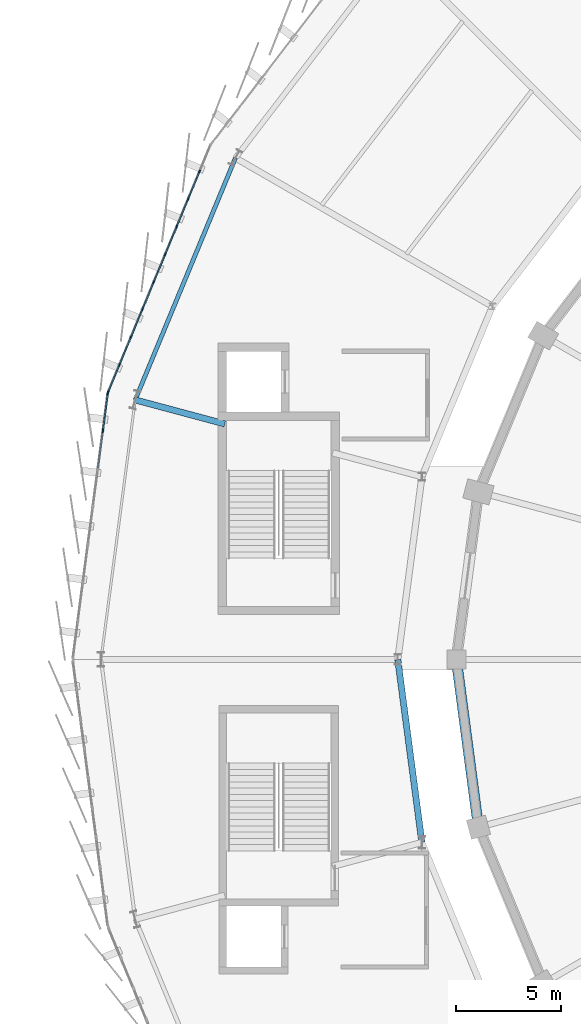
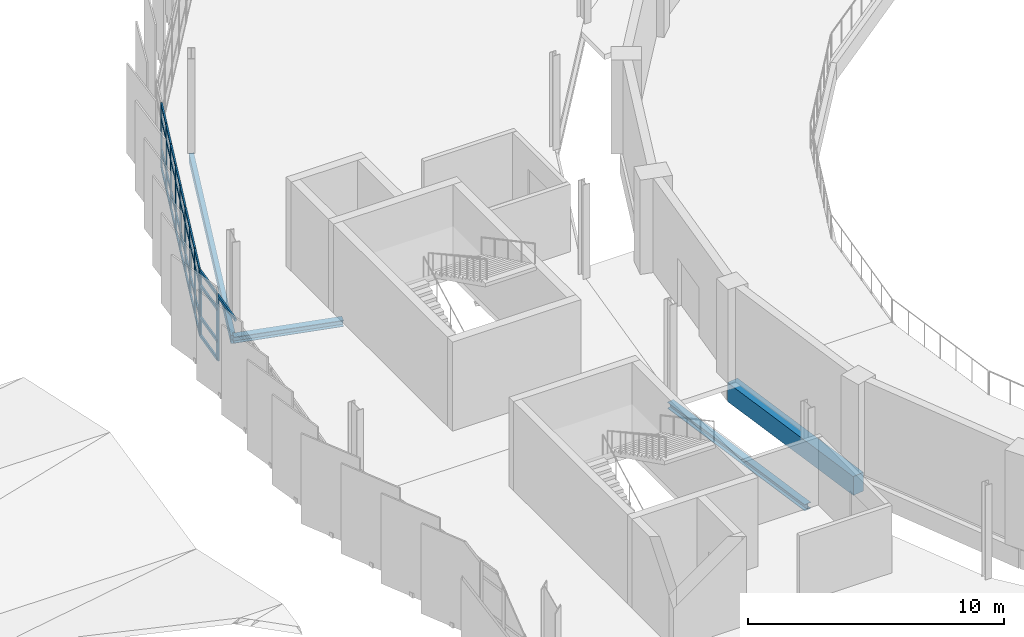
# One storey, part 28 of 87: 48 members, 4 beams, 2 elements without a shape of their own.
"""IFC4 building model written with IfcOpenShell, lengths in metres."""

from ifc_helpers import new_model, si_unit, direction, frame, origin, origin_2d, place, context, subcontext, project, spatial, rectangle, hollow_rectangle, i_section, extrude, material, layer, layer_set, material_profile, profile_set, type_object, element, aggregate, save


model = new_model("IFC4")

# Units and contexts
model_context = context("Model", 3, precision=1e-05, world=origin(), true_north=direction((0.0, 1.0)))
body_context = subcontext(model_context, "Body", "Model", "MODEL_VIEW")
ifc_project = project(units=[si_unit("LENGTHUNIT", "METRE"), si_unit("AREAUNIT", "SQUARE_METRE"), si_unit("VOLUMEUNIT", "CUBIC_METRE"), si_unit("PLANEANGLEUNIT", "RADIAN"), si_unit("MASSUNIT", "GRAM", prefix="KILO")], contexts=[model_context])

# Site, building, storey
site_placement = place(None, origin())
site = spatial("IfcSite", under=ifc_project, at=site_placement, CompositionType="ELEMENT")
building_placement = place(site_placement, origin())
building = spatial("IfcBuilding", under=site, at=building_placement, Name="Sohan Crest Arena", CompositionType="ELEMENT")
storey_placement = place(building_placement, frame((0.0, 0.0, 18.0)))
storey = spatial("IfcBuildingStorey", under=building, at=storey_placement, Name="L04", CompositionType="ELEMENT", Elevation=18.0)

# Curtain wall, members
ifc_material_1 = material(Name="Thermally broken anodised aluminium", Category="aluminium")
ifc_layer_1 = layer(ifc_material_1, 0.18994140625, Name="Thermally broken anodised aluminium")
ifc_layer_set_1 = layer_set([ifc_layer_1], Name="Thermally broken anodised aluminium")
curtain_wall_type_1 = type_object("IfcCurtainWallType", Name="ARC-CW05", PredefinedType="NOTDEFINED", material=ifc_layer_set_1)
curtain_wall_1_placement = place(storey_placement, origin())
curtain_wall_1 = element("IfcCurtainWall", 1, at=curtain_wall_1_placement, inside=storey, type_object=curtain_wall_type_1, Name="Unitised curtain wall CW-116", PredefinedType="NOTDEFINED")
ifc_material_profile_1 = material_profile(ifc_material_1, rectangle(XDim=0.06005859375, YDim=0.159912109375, at=origin_2d()), Name="ALU-MULL 60x160")
ifc_profile_set_1 = profile_set([ifc_material_profile_1], Name="Thermally broken anodised aluminium")
member_type_1 = type_object("IfcMemberType", Name="ARC-CW-ML01", PredefinedType="MULLION", material=ifc_profile_set_1)
member_1_placement = place(storey_placement, frame((54.714111328125, 101.3525390625, 0.0), z_axis=(0.0, 0.0, 1.0), x_axis=(0.923878704229, -0.382685432009, 0.0)))
member_1 = element("IfcMember", 2, at=member_1_placement, type_object=member_type_1, Name="CW-116 mullion 2", PredefinedType="MULLION", context=body_context, shape_type="SweptSolid", body=[
    extrude(rectangle(XDim=0.06005859375, YDim=0.159912109375, at=origin_2d()), origin(), (0.0, 0.0, 1.0), 3.1201171875),
])
member_2_placement = place(storey_placement, frame((54.16650390625, 100.030029296875, 0.0), z_axis=(0.0, 0.0, 1.0), x_axis=(0.923878704229, -0.382685432009, 0.0)))
member_2 = element("IfcMember", 3, at=member_2_placement, type_object=member_type_1, Name="CW-116 mullion 3", PredefinedType="MULLION", context=body_context, shape_type="SweptSolid", body=[
    extrude(rectangle(XDim=0.06005859375, YDim=0.159912109375, at=origin_2d()), origin(), (0.0, 0.0, 1.0), 3.1201171875),
])
member_3_placement = place(storey_placement, frame((53.61865234375, 98.707763671875, 0.0), z_axis=(0.0, 0.0, 1.0), x_axis=(0.923878704229, -0.382685432009, 0.0)))
member_3 = element("IfcMember", 4, at=member_3_placement, type_object=member_type_1, Name="CW-116 mullion 4", PredefinedType="MULLION", context=body_context, shape_type="SweptSolid", body=[
    extrude(rectangle(XDim=0.06005859375, YDim=0.159912109375, at=origin_2d()), origin(), (0.0, 0.0, 1.0), 3.1201171875),
])
member_4_placement = place(storey_placement, frame((53.07080078125, 97.38525390625, 0.0), z_axis=(0.0, 0.0, 1.0), x_axis=(0.923878704229, -0.382685432009, 0.0)))
member_4 = element("IfcMember", 5, at=member_4_placement, type_object=member_type_1, Name="CW-116 mullion 5", PredefinedType="MULLION", context=body_context, shape_type="SweptSolid", body=[
    extrude(rectangle(XDim=0.06005859375, YDim=0.159912109375, at=origin_2d()), origin(), (0.0, 0.0, 1.0), 3.1201171875),
])
member_5_placement = place(storey_placement, frame((52.523193359375, 96.062744140625, 0.0), z_axis=(0.0, 0.0, 1.0), x_axis=(0.923878704229, -0.382685432009, 0.0)))
member_5 = element("IfcMember", 6, at=member_5_placement, type_object=member_type_1, Name="CW-116 mullion 6", PredefinedType="MULLION", context=body_context, shape_type="SweptSolid", body=[
    extrude(rectangle(XDim=0.06005859375, YDim=0.159912109375, at=origin_2d()), origin(), (0.0, 0.0, 1.0), 3.1201171875),
])
member_6_placement = place(storey_placement, frame((51.975341796875, 94.740234375, 0.0), z_axis=(0.0, 0.0, 1.0), x_axis=(0.923878704229, -0.382685432009, 0.0)))
member_6 = element("IfcMember", 7, at=member_6_placement, type_object=member_type_1, Name="CW-116 mullion 7", PredefinedType="MULLION", context=body_context, shape_type="SweptSolid", body=[
    extrude(rectangle(XDim=0.06005859375, YDim=0.159912109375, at=origin_2d()), origin(), (0.0, 0.0, 1.0), 3.1201171875),
])
member_7_placement = place(storey_placement, frame((51.427490234375, 93.41796875, 0.0), z_axis=(0.0, 0.0, 1.0), x_axis=(0.923878704229, -0.382685432009, 0.0)))
member_7 = element("IfcMember", 8, at=member_7_placement, type_object=member_type_1, Name="CW-116 mullion 8", PredefinedType="MULLION", context=body_context, shape_type="SweptSolid", body=[
    extrude(rectangle(XDim=0.06005859375, YDim=0.159912109375, at=origin_2d()), origin(), (0.0, 0.0, 1.0), 3.1201171875),
])
member_8_placement = place(storey_placement, frame((50.8798828125, 92.095458984375, 0.0), z_axis=(0.0, 0.0, 1.0), x_axis=(0.923878704229, -0.382685432009, 0.0)))
member_8 = element("IfcMember", 9, at=member_8_placement, type_object=member_type_1, Name="CW-116 mullion 9", PredefinedType="MULLION", context=body_context, shape_type="SweptSolid", body=[
    extrude(rectangle(XDim=0.06005859375, YDim=0.159912109375, at=origin_2d()), origin(), (0.0, 0.0, 1.0), 3.1201171875),
])
member_9_placement = place(storey_placement, frame((50.343505859375, 90.80078125, 0.0), z_axis=(0.0, 0.0, 1.0), x_axis=(0.923878704229, -0.382685432009, 0.0)))
member_9 = element("IfcMember", 10, at=member_9_placement, type_object=member_type_1, Name="CW-116 mullion 10", PredefinedType="MULLION", context=body_context, shape_type="SweptSolid", body=[
    extrude(rectangle(XDim=0.06005859375, YDim=0.159912109375, at=origin_2d()), origin(), (0.0, 0.0, 1.0), 3.1201171875),
])

ifc_layer_2 = layer(ifc_material_1, 0.2099609375, Name="Thermally broken anodised aluminium")
ifc_layer_set_2 = layer_set([ifc_layer_2], Name="Thermally broken anodised aluminium")
curtain_wall_type_2 = type_object("IfcCurtainWallType", Name="ARC-CW06", PredefinedType="NOTDEFINED", material=ifc_layer_set_2)
curtain_wall_2_placement = place(storey_placement, origin())
curtain_wall_2 = element("IfcCurtainWall", 11, at=curtain_wall_2_placement, inside=storey, type_object=curtain_wall_type_2, Name="Unitised curtain wall CW-117", PredefinedType="NOTDEFINED")
ifc_material_profile_2 = material_profile(ifc_material_1, rectangle(XDim=0.06494140625, YDim=0.179931640625, at=origin_2d()), Name="ALU-MULL 65x180")
ifc_profile_set_2 = profile_set([ifc_material_profile_2], Name="Thermally broken anodised aluminium")
member_type_2 = type_object("IfcMemberType", Name="ARC-CW-ML02", PredefinedType="MULLION", material=ifc_profile_set_2)
member_10_placement = place(storey_placement, frame((50.32763671875, 90.74072265625, 0.0), z_axis=(0.0, 0.0, 1.0), x_axis=(0.991440816386, -0.130556913275, 0.0)))
member_10 = element("IfcMember", 12, at=member_10_placement, type_object=member_type_2, Name="CW-117 mullion 1", PredefinedType="MULLION", context=body_context, shape_type="SweptSolid", body=[
    extrude(rectangle(XDim=0.06494140625, YDim=0.179931640625, at=origin_2d()), origin(), (0.0, 0.0, 1.0), 3.1201171875),
])
member_11_placement = place(storey_placement, frame((50.091796875, 88.9482421875, 0.0), z_axis=(0.0, 0.0, 1.0), x_axis=(0.991440816386, -0.130556913275, 0.0)))
member_11 = element("IfcMember", 13, at=member_11_placement, type_object=member_type_2, Name="CW-117 mullion 2", PredefinedType="MULLION", context=body_context, shape_type="SweptSolid", body=[
    extrude(rectangle(XDim=0.06494140625, YDim=0.179931640625, at=origin_2d()), origin(), (0.0, 0.0, 1.0), 3.1201171875),
])

# Member
ifc_material_profile_3 = material_profile(ifc_material_1, rectangle(XDim=0.06494140625, YDim=0.139892578125, at=origin_2d()), Name="ALU-TRAN 65x140")
ifc_profile_set_3 = profile_set([ifc_material_profile_3], Name="Thermally broken anodised aluminium")
member_type_3 = type_object("IfcMemberType", Name="ARC-CW-TR02", PredefinedType="USERDEFINED", material=ifc_profile_set_3)
member_12_placement = place(storey_placement, frame((54.70263671875, 101.324951171875, 0.032470703125), z_axis=(-0.382566672454, -0.923927887406, 0.0), x_axis=(0.923927887406, -0.382566672454, 0.0)))
member_12 = element("IfcMember", 14, at=member_12_placement, type_object=member_type_3, Name="CW-116 transom 2.1", ObjectType="TRANSOM", PredefinedType="USERDEFINED", context=body_context, shape_type="SweptSolid", body=[
    extrude(rectangle(XDim=0.06494140625, YDim=0.139892578125, at=origin_2d()), origin(), (0.0, 0.0, 1.0), 1.371337890625),
])

member_13_placement = place(storey_placement, frame((54.70263671875, 101.324951171875, 0.89990234375), z_axis=(-0.382566672454, -0.923927887406, 0.0), x_axis=(0.923927887406, -0.382566672454, 0.0)))
member_13 = element("IfcMember", 15, at=member_13_placement, type_object=member_type_3, Name="CW-116 transom 2.2", ObjectType="TRANSOM", PredefinedType="USERDEFINED", context=body_context, shape_type="SweptSolid", body=[
    extrude(rectangle(XDim=0.06494140625, YDim=0.139892578125, at=origin_2d()), origin(), (0.0, 0.0, 1.0), 1.371337890625),
])

member_14_placement = place(storey_placement, frame((54.70263671875, 101.324951171875, 2.419921875), z_axis=(-0.382566672454, -0.923927887406, 0.0), x_axis=(0.923927887406, -0.382566672454, 0.0)))
member_14 = element("IfcMember", 16, at=member_14_placement, type_object=member_type_3, Name="CW-116 transom 2.3", ObjectType="TRANSOM", PredefinedType="USERDEFINED", context=body_context, shape_type="SweptSolid", body=[
    extrude(rectangle(XDim=0.06494140625, YDim=0.139892578125, at=origin_2d()), origin(), (0.0, 0.0, 1.0), 1.371337890625),
])

member_15_placement = place(storey_placement, frame((54.70263671875, 101.324951171875, 3.08740234375), z_axis=(-0.382566672454, -0.923927887406, 0.0), x_axis=(0.923927887406, -0.382566672454, 0.0)))
member_15 = element("IfcMember", 17, at=member_15_placement, type_object=member_type_3, Name="CW-116 transom 2.4", ObjectType="TRANSOM", PredefinedType="USERDEFINED", context=body_context, shape_type="SweptSolid", body=[
    extrude(rectangle(XDim=0.06494140625, YDim=0.139892578125, at=origin_2d()), origin(), (0.0, 0.0, 1.0), 1.371337890625),
])

member_16_placement = place(storey_placement, frame((54.155029296875, 100.00244140625, 0.032470703125), z_axis=(-0.382718623082, -0.923864955254, 0.0), x_axis=(0.923864955254, -0.382718623082, 0.0)))
member_16 = element("IfcMember", 18, at=member_16_placement, type_object=member_type_3, Name="CW-116 transom 3.1", ObjectType="TRANSOM", PredefinedType="USERDEFINED", context=body_context, shape_type="SweptSolid", body=[
    extrude(rectangle(XDim=0.06494140625, YDim=0.139892578125, at=origin_2d()), origin(), (0.0, 0.0, 1.0), 1.37158203125),
])

member_17_placement = place(storey_placement, frame((54.155029296875, 100.00244140625, 0.89990234375), z_axis=(-0.382718623082, -0.923864955254, 0.0), x_axis=(0.923864955254, -0.382718623082, 0.0)))
member_17 = element("IfcMember", 19, at=member_17_placement, type_object=member_type_3, Name="CW-116 transom 3.2", ObjectType="TRANSOM", PredefinedType="USERDEFINED", context=body_context, shape_type="SweptSolid", body=[
    extrude(rectangle(XDim=0.06494140625, YDim=0.139892578125, at=origin_2d()), origin(), (0.0, 0.0, 1.0), 1.37158203125),
])

member_18_placement = place(storey_placement, frame((54.155029296875, 100.00244140625, 2.419921875), z_axis=(-0.382718623082, -0.923864955254, 0.0), x_axis=(0.923864955254, -0.382718623082, 0.0)))
member_18 = element("IfcMember", 20, at=member_18_placement, type_object=member_type_3, Name="CW-116 transom 3.3", ObjectType="TRANSOM", PredefinedType="USERDEFINED", context=body_context, shape_type="SweptSolid", body=[
    extrude(rectangle(XDim=0.06494140625, YDim=0.139892578125, at=origin_2d()), origin(), (0.0, 0.0, 1.0), 1.37158203125),
])

member_19_placement = place(storey_placement, frame((54.155029296875, 100.00244140625, 3.08740234375), z_axis=(-0.382718623082, -0.923864955254, 0.0), x_axis=(0.923864955254, -0.382718623082, 0.0)))
member_19 = element("IfcMember", 21, at=member_19_placement, type_object=member_type_3, Name="CW-116 transom 3.4", ObjectType="TRANSOM", PredefinedType="USERDEFINED", context=body_context, shape_type="SweptSolid", body=[
    extrude(rectangle(XDim=0.06494140625, YDim=0.139892578125, at=origin_2d()), origin(), (0.0, 0.0, 1.0), 1.37158203125),
])

member_20_placement = place(storey_placement, frame((53.607177734375, 98.679931640625, 0.032470703125), z_axis=(-0.382718623082, -0.923864955254, 0.0), x_axis=(0.923864955254, -0.382718623082, 0.0)))
member_20 = element("IfcMember", 22, at=member_20_placement, type_object=member_type_3, Name="CW-116 transom 4.1", ObjectType="TRANSOM", PredefinedType="USERDEFINED", context=body_context, shape_type="SweptSolid", body=[
    extrude(rectangle(XDim=0.06494140625, YDim=0.139892578125, at=origin_2d()), origin(), (0.0, 0.0, 1.0), 1.37158203125),
])

member_21_placement = place(storey_placement, frame((53.607177734375, 98.679931640625, 0.89990234375), z_axis=(-0.382718623082, -0.923864955254, 0.0), x_axis=(0.923864955254, -0.382718623082, 0.0)))
member_21 = element("IfcMember", 23, at=member_21_placement, type_object=member_type_3, Name="CW-116 transom 4.2", ObjectType="TRANSOM", PredefinedType="USERDEFINED", context=body_context, shape_type="SweptSolid", body=[
    extrude(rectangle(XDim=0.06494140625, YDim=0.139892578125, at=origin_2d()), origin(), (0.0, 0.0, 1.0), 1.37158203125),
])

member_22_placement = place(storey_placement, frame((53.607177734375, 98.679931640625, 2.419921875), z_axis=(-0.382718623082, -0.923864955254, 0.0), x_axis=(0.923864955254, -0.382718623082, 0.0)))
member_22 = element("IfcMember", 24, at=member_22_placement, type_object=member_type_3, Name="CW-116 transom 4.3", ObjectType="TRANSOM", PredefinedType="USERDEFINED", context=body_context, shape_type="SweptSolid", body=[
    extrude(rectangle(XDim=0.06494140625, YDim=0.139892578125, at=origin_2d()), origin(), (0.0, 0.0, 1.0), 1.37158203125),
])

member_23_placement = place(storey_placement, frame((53.607177734375, 98.679931640625, 3.08740234375), z_axis=(-0.382718623082, -0.923864955254, 0.0), x_axis=(0.923864955254, -0.382718623082, 0.0)))
member_23 = element("IfcMember", 25, at=member_23_placement, type_object=member_type_3, Name="CW-116 transom 4.4", ObjectType="TRANSOM", PredefinedType="USERDEFINED", context=body_context, shape_type="SweptSolid", body=[
    extrude(rectangle(XDim=0.06494140625, YDim=0.139892578125, at=origin_2d()), origin(), (0.0, 0.0, 1.0), 1.37158203125),
])

member_24_placement = place(storey_placement, frame((53.059326171875, 97.357421875, 0.032470703125), z_axis=(-0.38262960586, -0.923901826343, 0.0), x_axis=(0.923901826343, -0.38262960586, 0.0)))
member_24 = element("IfcMember", 26, at=member_24_placement, type_object=member_type_3, Name="CW-116 transom 5.1", ObjectType="TRANSOM", PredefinedType="USERDEFINED", context=body_context, shape_type="SweptSolid", body=[
    extrude(rectangle(XDim=0.06494140625, YDim=0.139892578125, at=origin_2d()), origin(), (0.0, 0.0, 1.0), 1.37109375),
])

member_25_placement = place(storey_placement, frame((53.059326171875, 97.357421875, 0.89990234375), z_axis=(-0.38262960586, -0.923901826343, 0.0), x_axis=(0.923901826343, -0.38262960586, 0.0)))
member_25 = element("IfcMember", 27, at=member_25_placement, type_object=member_type_3, Name="CW-116 transom 5.2", ObjectType="TRANSOM", PredefinedType="USERDEFINED", context=body_context, shape_type="SweptSolid", body=[
    extrude(rectangle(XDim=0.06494140625, YDim=0.139892578125, at=origin_2d()), origin(), (0.0, 0.0, 1.0), 1.37109375),
])

member_26_placement = place(storey_placement, frame((53.059326171875, 97.357421875, 2.419921875), z_axis=(-0.38262960586, -0.923901826343, 0.0), x_axis=(0.923901826343, -0.38262960586, 0.0)))
member_26 = element("IfcMember", 28, at=member_26_placement, type_object=member_type_3, Name="CW-116 transom 5.3", ObjectType="TRANSOM", PredefinedType="USERDEFINED", context=body_context, shape_type="SweptSolid", body=[
    extrude(rectangle(XDim=0.06494140625, YDim=0.139892578125, at=origin_2d()), origin(), (0.0, 0.0, 1.0), 1.37109375),
])

member_27_placement = place(storey_placement, frame((53.059326171875, 97.357421875, 3.08740234375), z_axis=(-0.38262960586, -0.923901826343, 0.0), x_axis=(0.923901826343, -0.38262960586, 0.0)))
member_27 = element("IfcMember", 29, at=member_27_placement, type_object=member_type_3, Name="CW-116 transom 5.4", ObjectType="TRANSOM", PredefinedType="USERDEFINED", context=body_context, shape_type="SweptSolid", body=[
    extrude(rectangle(XDim=0.06494140625, YDim=0.139892578125, at=origin_2d()), origin(), (0.0, 0.0, 1.0), 1.37109375),
])

member_28_placement = place(storey_placement, frame((52.51171875, 96.03515625, 0.032470703125), z_axis=(-0.382718623082, -0.923864955254, 0.0), x_axis=(0.923864955254, -0.382718623082, 0.0)))
member_28 = element("IfcMember", 30, at=member_28_placement, type_object=member_type_3, Name="CW-116 transom 6.1", ObjectType="TRANSOM", PredefinedType="USERDEFINED", context=body_context, shape_type="SweptSolid", body=[
    extrude(rectangle(XDim=0.06494140625, YDim=0.139892578125, at=origin_2d()), origin(), (0.0, 0.0, 1.0), 1.37158203125),
])

member_29_placement = place(storey_placement, frame((52.51171875, 96.03515625, 0.89990234375), z_axis=(-0.382718623082, -0.923864955254, 0.0), x_axis=(0.923864955254, -0.382718623082, 0.0)))
member_29 = element("IfcMember", 31, at=member_29_placement, type_object=member_type_3, Name="CW-116 transom 6.2", ObjectType="TRANSOM", PredefinedType="USERDEFINED", context=body_context, shape_type="SweptSolid", body=[
    extrude(rectangle(XDim=0.06494140625, YDim=0.139892578125, at=origin_2d()), origin(), (0.0, 0.0, 1.0), 1.37158203125),
])

member_30_placement = place(storey_placement, frame((52.51171875, 96.03515625, 2.419921875), z_axis=(-0.382718623082, -0.923864955254, 0.0), x_axis=(0.923864955254, -0.382718623082, 0.0)))
member_30 = element("IfcMember", 32, at=member_30_placement, type_object=member_type_3, Name="CW-116 transom 6.3", ObjectType="TRANSOM", PredefinedType="USERDEFINED", context=body_context, shape_type="SweptSolid", body=[
    extrude(rectangle(XDim=0.06494140625, YDim=0.139892578125, at=origin_2d()), origin(), (0.0, 0.0, 1.0), 1.37158203125),
])

member_31_placement = place(storey_placement, frame((52.51171875, 96.03515625, 3.08740234375), z_axis=(-0.382718623082, -0.923864955254, 0.0), x_axis=(0.923864955254, -0.382718623082, 0.0)))
member_31 = element("IfcMember", 33, at=member_31_placement, type_object=member_type_3, Name="CW-116 transom 6.4", ObjectType="TRANSOM", PredefinedType="USERDEFINED", context=body_context, shape_type="SweptSolid", body=[
    extrude(rectangle(XDim=0.06494140625, YDim=0.139892578125, at=origin_2d()), origin(), (0.0, 0.0, 1.0), 1.37158203125),
])

member_32_placement = place(storey_placement, frame((51.9638671875, 94.712646484375, 0.032470703125), z_axis=(-0.382718623082, -0.923864955254, 0.0), x_axis=(0.923864955254, -0.382718623082, 0.0)))
member_32 = element("IfcMember", 34, at=member_32_placement, type_object=member_type_3, Name="CW-116 transom 7.1", ObjectType="TRANSOM", PredefinedType="USERDEFINED", context=body_context, shape_type="SweptSolid", body=[
    extrude(rectangle(XDim=0.06494140625, YDim=0.139892578125, at=origin_2d()), origin(), (0.0, 0.0, 1.0), 1.37158203125),
])

member_33_placement = place(storey_placement, frame((51.9638671875, 94.712646484375, 0.89990234375), z_axis=(-0.382718623082, -0.923864955254, 0.0), x_axis=(0.923864955254, -0.382718623082, 0.0)))
member_33 = element("IfcMember", 35, at=member_33_placement, type_object=member_type_3, Name="CW-116 transom 7.2", ObjectType="TRANSOM", PredefinedType="USERDEFINED", context=body_context, shape_type="SweptSolid", body=[
    extrude(rectangle(XDim=0.06494140625, YDim=0.139892578125, at=origin_2d()), origin(), (0.0, 0.0, 1.0), 1.37158203125),
])

member_34_placement = place(storey_placement, frame((51.9638671875, 94.712646484375, 2.419921875), z_axis=(-0.382718623082, -0.923864955254, 0.0), x_axis=(0.923864955254, -0.382718623082, 0.0)))
member_34 = element("IfcMember", 36, at=member_34_placement, type_object=member_type_3, Name="CW-116 transom 7.3", ObjectType="TRANSOM", PredefinedType="USERDEFINED", context=body_context, shape_type="SweptSolid", body=[
    extrude(rectangle(XDim=0.06494140625, YDim=0.139892578125, at=origin_2d()), origin(), (0.0, 0.0, 1.0), 1.37158203125),
])

member_35_placement = place(storey_placement, frame((51.9638671875, 94.712646484375, 3.08740234375), z_axis=(-0.382718623082, -0.923864955254, 0.0), x_axis=(0.923864955254, -0.382718623082, 0.0)))
member_35 = element("IfcMember", 37, at=member_35_placement, type_object=member_type_3, Name="CW-116 transom 7.4", ObjectType="TRANSOM", PredefinedType="USERDEFINED", context=body_context, shape_type="SweptSolid", body=[
    extrude(rectangle(XDim=0.06494140625, YDim=0.139892578125, at=origin_2d()), origin(), (0.0, 0.0, 1.0), 1.37158203125),
])

member_36_placement = place(storey_placement, frame((51.416015625, 93.39013671875, 0.032470703125), z_axis=(-0.382566672454, -0.923927887406, 0.0), x_axis=(0.923927887406, -0.382566672454, 0.0)))
member_36 = element("IfcMember", 38, at=member_36_placement, type_object=member_type_3, Name="CW-116 transom 8.1", ObjectType="TRANSOM", PredefinedType="USERDEFINED", context=body_context, shape_type="SweptSolid", body=[
    extrude(rectangle(XDim=0.06494140625, YDim=0.139892578125, at=origin_2d()), origin(), (0.0, 0.0, 1.0), 1.371337890625),
])

member_37_placement = place(storey_placement, frame((51.416015625, 93.39013671875, 0.89990234375), z_axis=(-0.382566672454, -0.923927887406, 0.0), x_axis=(0.923927887406, -0.382566672454, 0.0)))
member_37 = element("IfcMember", 39, at=member_37_placement, type_object=member_type_3, Name="CW-116 transom 8.2", ObjectType="TRANSOM", PredefinedType="USERDEFINED", context=body_context, shape_type="SweptSolid", body=[
    extrude(rectangle(XDim=0.06494140625, YDim=0.139892578125, at=origin_2d()), origin(), (0.0, 0.0, 1.0), 1.371337890625),
])

member_38_placement = place(storey_placement, frame((51.416015625, 93.39013671875, 2.419921875), z_axis=(-0.382566672454, -0.923927887406, 0.0), x_axis=(0.923927887406, -0.382566672454, 0.0)))
member_38 = element("IfcMember", 40, at=member_38_placement, type_object=member_type_3, Name="CW-116 transom 8.3", ObjectType="TRANSOM", PredefinedType="USERDEFINED", context=body_context, shape_type="SweptSolid", body=[
    extrude(rectangle(XDim=0.06494140625, YDim=0.139892578125, at=origin_2d()), origin(), (0.0, 0.0, 1.0), 1.371337890625),
])

member_39_placement = place(storey_placement, frame((51.416015625, 93.39013671875, 3.08740234375), z_axis=(-0.382566672454, -0.923927887406, 0.0), x_axis=(0.923927887406, -0.382566672454, 0.0)))
member_39 = element("IfcMember", 41, at=member_39_placement, type_object=member_type_3, Name="CW-116 transom 8.4", ObjectType="TRANSOM", PredefinedType="USERDEFINED", context=body_context, shape_type="SweptSolid", body=[
    extrude(rectangle(XDim=0.06494140625, YDim=0.139892578125, at=origin_2d()), origin(), (0.0, 0.0, 1.0), 1.371337890625),
])

member_40_placement = place(storey_placement, frame((50.868408203125, 92.067626953125, 0.032470703125), z_axis=(-0.382753642759, -0.923850447288, 0.0), x_axis=(0.923850447288, -0.382753642759, 0.0)))
member_40 = element("IfcMember", 42, at=member_40_placement, type_object=member_type_3, Name="CW-116 transom 9.1", ObjectType="TRANSOM", PredefinedType="USERDEFINED", context=body_context, shape_type="SweptSolid", body=[
    extrude(rectangle(XDim=0.06494140625, YDim=0.139892578125, at=origin_2d()), origin(), (0.0, 0.0, 1.0), 1.34130859375),
])

member_41_placement = place(storey_placement, frame((50.868408203125, 92.067626953125, 0.89990234375), z_axis=(-0.382753642759, -0.923850447288, 0.0), x_axis=(0.923850447288, -0.382753642759, 0.0)))
member_41 = element("IfcMember", 43, at=member_41_placement, type_object=member_type_3, Name="CW-116 transom 9.2", ObjectType="TRANSOM", PredefinedType="USERDEFINED", context=body_context, shape_type="SweptSolid", body=[
    extrude(rectangle(XDim=0.06494140625, YDim=0.139892578125, at=origin_2d()), origin(), (0.0, 0.0, 1.0), 1.34130859375),
])

member_42_placement = place(storey_placement, frame((50.868408203125, 92.067626953125, 2.419921875), z_axis=(-0.382753642759, -0.923850447288, 0.0), x_axis=(0.923850447288, -0.382753642759, 0.0)))
member_42 = element("IfcMember", 44, at=member_42_placement, type_object=member_type_3, Name="CW-116 transom 9.3", ObjectType="TRANSOM", PredefinedType="USERDEFINED", context=body_context, shape_type="SweptSolid", body=[
    extrude(rectangle(XDim=0.06494140625, YDim=0.139892578125, at=origin_2d()), origin(), (0.0, 0.0, 1.0), 1.34130859375),
])

member_43_placement = place(storey_placement, frame((50.868408203125, 92.067626953125, 3.08740234375), z_axis=(-0.382753642759, -0.923850447288, 0.0), x_axis=(0.923850447288, -0.382753642759, 0.0)))
member_43 = element("IfcMember", 45, at=member_43_placement, type_object=member_type_3, Name="CW-116 transom 9.4", ObjectType="TRANSOM", PredefinedType="USERDEFINED", context=body_context, shape_type="SweptSolid", body=[
    extrude(rectangle(XDim=0.06494140625, YDim=0.139892578125, at=origin_2d()), origin(), (0.0, 0.0, 1.0), 1.34130859375),
])

aggregate(curtain_wall_1, [member_1, member_2, member_3, member_4, member_5, member_6, member_7, member_8, member_9, member_12, member_13, member_14, member_15, member_16, member_17, member_18, member_19, member_20, member_21, member_22, member_23, member_24, member_25, member_26, member_27, member_28, member_29, member_30, member_31, member_32, member_33, member_34, member_35, member_36, member_37, member_38, member_39, member_40, member_41, member_42, member_43])

ifc_material_profile_4 = material_profile(ifc_material_1, rectangle(XDim=0.070068359375, YDim=0.14990234375, at=origin_2d()), Name="ALU-TRAN 70x150")
ifc_profile_set_4 = profile_set([ifc_material_profile_4], Name="Thermally broken anodised aluminium")
member_type_4 = type_object("IfcMemberType", Name="ARC-CW-TR03", PredefinedType="USERDEFINED", material=ifc_profile_set_4)
member_44_placement = place(storey_placement, frame((50.323486328125, 90.70849609375, 0.034912109375), z_axis=(-0.130548720866, -0.991441895161, 0.0), x_axis=(0.991441895161, -0.130548720866, 0.0)))
member_44 = element("IfcMember", 46, at=member_44_placement, type_object=member_type_4, Name="CW-117 transom 1.1", ObjectType="TRANSOM", PredefinedType="USERDEFINED", context=body_context, shape_type="SweptSolid", body=[
    extrude(rectangle(XDim=0.070068359375, YDim=0.14990234375, at=origin_2d()), origin(), (0.0, 0.0, 1.0), 1.742919921875),
])

member_45_placement = place(storey_placement, frame((50.323486328125, 90.70849609375, 0.89990234375), z_axis=(-0.130548720866, -0.991441895161, 0.0), x_axis=(0.991441895161, -0.130548720866, 0.0)))
member_45 = element("IfcMember", 47, at=member_45_placement, type_object=member_type_4, Name="CW-117 transom 1.2", ObjectType="TRANSOM", PredefinedType="USERDEFINED", context=body_context, shape_type="SweptSolid", body=[
    extrude(rectangle(XDim=0.070068359375, YDim=0.14990234375, at=origin_2d()), origin(), (0.0, 0.0, 1.0), 1.742919921875),
])

member_46_placement = place(storey_placement, frame((50.323486328125, 90.70849609375, 2.419921875), z_axis=(-0.130548720866, -0.991441895161, 0.0), x_axis=(0.991441895161, -0.130548720866, 0.0)))
member_46 = element("IfcMember", 48, at=member_46_placement, type_object=member_type_4, Name="CW-117 transom 1.3", ObjectType="TRANSOM", PredefinedType="USERDEFINED", context=body_context, shape_type="SweptSolid", body=[
    extrude(rectangle(XDim=0.070068359375, YDim=0.14990234375, at=origin_2d()), origin(), (0.0, 0.0, 1.0), 1.742919921875),
])

member_47_placement = place(storey_placement, frame((50.323486328125, 90.70849609375, 3.0849609375), z_axis=(-0.130548720866, -0.991441895161, 0.0), x_axis=(0.991441895161, -0.130548720866, 0.0)))
member_47 = element("IfcMember", 49, at=member_47_placement, type_object=member_type_4, Name="CW-117 transom 1.4", ObjectType="TRANSOM", PredefinedType="USERDEFINED", context=body_context, shape_type="SweptSolid", body=[
    extrude(rectangle(XDim=0.070068359375, YDim=0.14990234375, at=origin_2d()), origin(), (0.0, 0.0, 1.0), 1.742919921875),
])

member_48_placement = place(storey_placement, frame((50.08740234375, 88.916015625, 3.0849609375), z_axis=(-0.130497197719, -0.991448678141, 0.0), x_axis=(0.991448678141, -0.130497197719, 0.0)))
member_48 = element("IfcMember", 50, at=member_48_placement, type_object=member_type_4, Name="CW-117 transom 2.4", ObjectType="TRANSOM", PredefinedType="USERDEFINED", context=body_context, shape_type="SweptSolid", body=[
    extrude(rectangle(XDim=0.070068359375, YDim=0.14990234375, at=origin_2d()), origin(), (0.0, 0.0, 1.0), 1.775390625),
])

aggregate(curtain_wall_2, [member_10, member_11, member_44, member_45, member_46, member_47, member_48])

# Beams
ifc_material_2 = material(Name="Steel S355", Category="steel")
ifc_material_profile_5 = material_profile(ifc_material_2, i_section(OverallWidth=0.300048828125, OverallDepth=0.300048828125, WebThickness=0.010986328125, FlangeThickness=0.01904296875, at=origin_2d()), Name="HEB 300")
ifc_profile_set_5 = profile_set([ifc_material_profile_5], Name="Steel S355")
beam_type_1 = type_object("IfcBeamType", Name="STR-BM-B12", PredefinedType="BEAM", material=ifc_profile_set_5)
beam_1_placement = place(storey_placement, frame((55.919921875, 89.27490234375, -0.39990234375), z_axis=(-0.965907995401, 0.258885581716, 0.0), x_axis=(-0.258885581716, -0.965907995401, 0.0)))
element("IfcBeam", 51, at=beam_1_placement, inside=storey, type_object=beam_type_1, Name="Structural beam G-L04-1574", PredefinedType="BEAM", context=body_context, shape_type="SweptSolid", body=[
    extrude(i_section(OverallWidth=0.300048828125, OverallDepth=0.300048828125, WebThickness=0.010986328125, FlangeThickness=0.01904296875, at=origin_2d()), origin(), (0.0, 0.0, 1.0), 4.43505859375),
])
beam_2_placement = place(storey_placement, frame((64.199951171875, 78.0, -0.39990234375), z_axis=(0.130570461953, -0.991439032147, 0.0), x_axis=(0.991439032147, 0.130570461953, 0.0)))
element("IfcBeam", 52, at=beam_2_placement, inside=storey, type_object=beam_type_1, Name="Structural beam G-L04-1578", PredefinedType="BEAM", context=body_context, shape_type="SweptSolid", body=[
    extrude(i_section(OverallWidth=0.300048828125, OverallDepth=0.300048828125, WebThickness=0.010986328125, FlangeThickness=0.01904296875, at=origin_2d()), origin(), (0.0, 0.0, 1.0), 8.823486328125),
])
ifc_material_profile_6 = material_profile(ifc_material_2, hollow_rectangle(XDim=0.199951171875, YDim=0.39990234375, WallThickness=0.012451171875, at=origin_2d()), Name="RHS 400x200x12.5")
ifc_profile_set_6 = profile_set([ifc_material_profile_6], Name="Steel S355")
beam_type_2 = type_object("IfcBeamType", Name="STR-BM-SP05", PredefinedType="SPANDREL", material=ifc_profile_set_6)
beam_3_placement = place(storey_placement, frame((56.430908203125, 102.0, -0.449951171875), z_axis=(-0.382656941645, -0.923890504882, 0.0), x_axis=(0.923890504882, -0.382656941645, 0.0)))
element("IfcBeam", 53, at=beam_3_placement, inside=storey, type_object=beam_type_2, Name="Structural beam SP-L04-1572", PredefinedType="SPANDREL", context=body_context, shape_type="SweptSolid", body=[
    extrude(hollow_rectangle(XDim=0.199951171875, YDim=0.39990234375, WallThickness=0.012451171875, at=origin_2d()), origin(), (0.0, 0.0, 1.0), 12.530517578125),
])
ifc_material_3 = material(Name="Concrete C40/50", Category="concrete")
ifc_material_profile_7 = material_profile(ifc_material_3, rectangle(XDim=0.5, YDim=0.89990234375, at=origin_2d()), Name="RC-BM 500x900")
ifc_profile_set_7 = profile_set([ifc_material_profile_7], Name="Concrete C40/50")
beam_type_3 = type_object("IfcBeamType", Name="STR-BM-TB03", PredefinedType="BEAM", material=ifc_profile_set_7)
beam_4_placement = place(storey_placement, frame((67.0, 78.0, -0.699951171875), z_axis=(0.130485730048, -0.99145018748, 0.0), x_axis=(0.99145018748, 0.130485730048, 0.0)))
element("IfcBeam", 54, at=beam_4_placement, inside=storey, type_object=beam_type_3, Name="Structural beam TB-L04-0209", PredefinedType="BEAM", context=body_context, shape_type="SweptSolid", body=[
    extrude(rectangle(XDim=0.5, YDim=0.89990234375, at=origin_2d()), origin(), (0.0, 0.0, 1.0), 8.092041015625),
])

save(model, "model.ifc")
